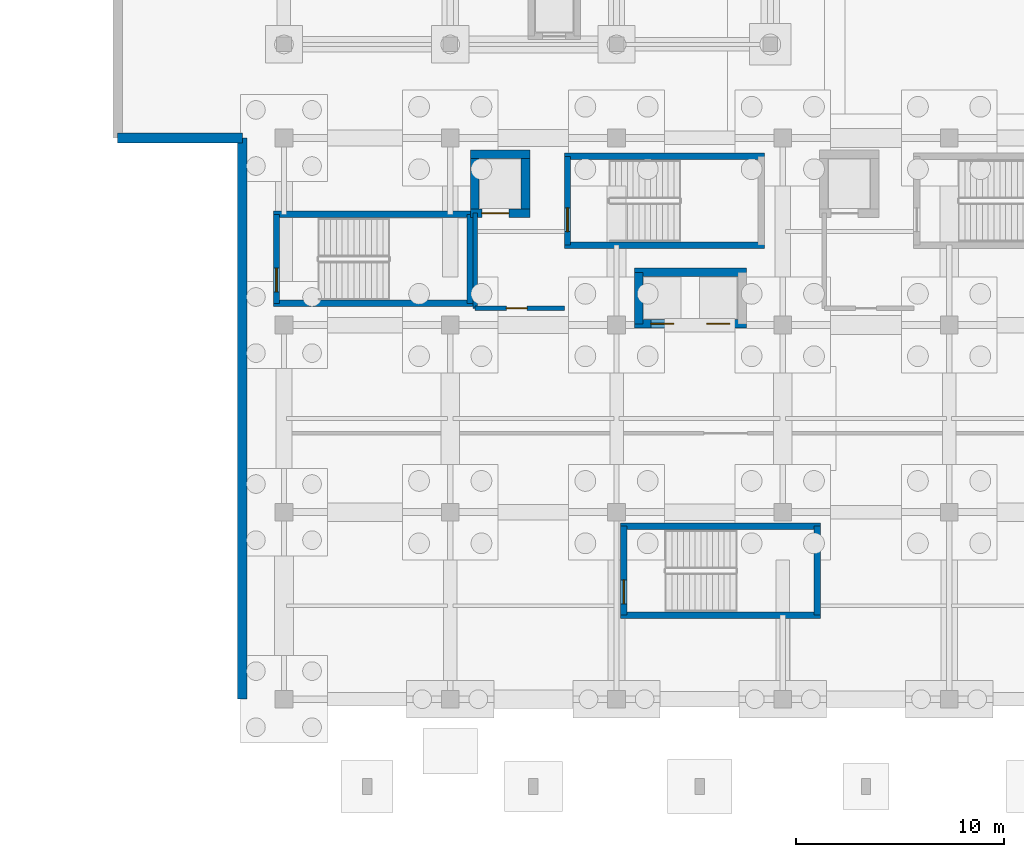
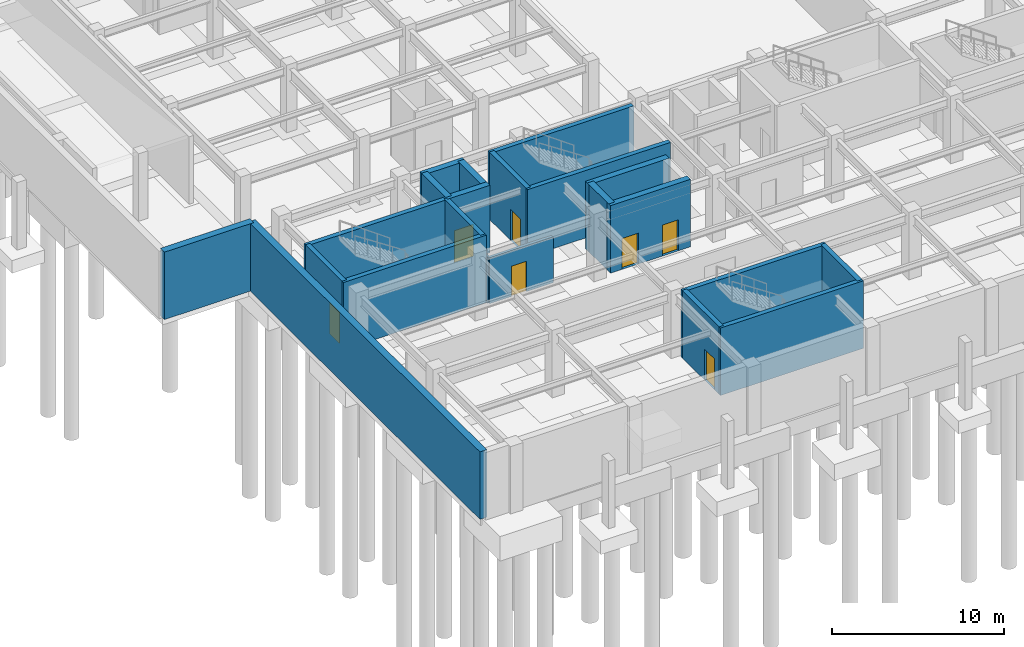
# One storey, part 25 of 48: 22 walls, 7 doors, 7 openings.
"""IFC4 building model written with IfcOpenShell, lengths in metres."""

import ifcopenshell
import ifcopenshell.guid

model = None  # the IFC model being written
_history = None  # IfcOwnerHistory: only IFC2X3 demands one
_inside = {}  # id of a spatial element -> (the spatial element, [elements in it])
_under = {}  # id of a project, library or spatial element -> (it, [spatial elements below it])
_declared = {}  # id of a project -> (the project, [libraries it declares])
_typed = {}  # id of a type object -> (the type object, [elements of that type])
_made_of = {}  # id of a material, layer set ... -> (it, [elements and type objects made of it])


def new_model(schema):
    """Start an empty IFC model of exactly this schema.

    Asked for "IFC4X3", IfcOpenShell would pick the latest addendum, in which some entities
    have other attributes; the version numbers below select the first issue.
    IFC2X3 requires an IfcOwnerHistory on every rooted entity: one is made here for all.
    """
    global model, _history
    if schema == "IFC4X3":
        model = ifcopenshell.file(schema_version=(4, 3, 0, 0))
    else:
        model = ifcopenshell.file(schema=schema)
    _inside.clear()
    _under.clear()
    _declared.clear()
    _typed.clear()
    _made_of.clear()
    _history = None
    if model.schema == "IFC2X3":
        org = make("IfcOrganization", Name="unknown")
        user = make(
            "IfcPersonAndOrganization",
            ThePerson=make("IfcPerson", FamilyName="unknown"),
            TheOrganization=org,
        )
        app = make(
            "IfcApplication",
            ApplicationDeveloper=org,
            Version="unknown",
            ApplicationFullName="unknown",
            ApplicationIdentifier="unknown",
        )
        _history = make(
            "IfcOwnerHistory",
            OwningUser=user,
            OwningApplication=app,
            ChangeAction="ADDED",
            CreationDate=0,
        )
    return model


def make(cls, **values):
    """One entity of the class cls with the attributes given. An attribute that is None is left unset."""
    return model.create_entity(
        cls, **{name: value for name, value in values.items() if value is not None}
    )


def rooted(cls, **values):
    """An entity with a GlobalId (a new one), such as an element, a storey or a relation."""
    return make(cls, GlobalId=ifcopenshell.guid.new(), OwnerHistory=_history, **values)


def si_unit(unit_type, name, prefix=None):
    """IfcSIUnit, for example si_unit("LENGTHUNIT", "METRE", prefix="MILLI")."""
    return make("IfcSIUnit", UnitType=unit_type, Prefix=prefix, Name=name)


def assignment(units):
    """IfcUnitAssignment: the units of a project."""
    return None if units is None else make("IfcUnitAssignment", Units=units)


def point(xyz):
    """IfcCartesianPoint."""
    return None if xyz is None else make("IfcCartesianPoint", Coordinates=xyz)


def direction(xyz):
    """IfcDirection."""
    return None if xyz is None else make("IfcDirection", DirectionRatios=xyz)


def frame(location, z_axis=None, x_axis=None):
    """IfcAxis2Placement3D, a coordinate frame: its origin and axes. An axis left out is left unset."""
    return make(
        "IfcAxis2Placement3D",
        Location=point(location),
        Axis=direction(z_axis),
        RefDirection=direction(x_axis),
    )


def frame_2d(location, x_axis=None):
    """IfcAxis2Placement2D, a coordinate frame in the plane: its origin and x axis."""
    return make(
        "IfcAxis2Placement2D", Location=point(location), RefDirection=direction(x_axis)
    )


def origin():
    """The frame at (0, 0, 0) with its axes left unset."""
    return frame((0.0, 0.0, 0.0))


def place(relative_to, where):
    """IfcLocalPlacement: puts the frame where relative to a parent placement (None: the world)."""
    return make(
        "IfcLocalPlacement", PlacementRelTo=relative_to, RelativePlacement=where
    )


def context(
    kind, dimensions, precision=None, world=None, true_north=None, identifier=None
):
    """IfcGeometricRepresentationContext, for example the 3D "Model" context."""
    return make(
        "IfcGeometricRepresentationContext",
        ContextIdentifier=identifier,
        ContextType=kind,
        CoordinateSpaceDimension=dimensions,
        Precision=precision,
        WorldCoordinateSystem=world,
        TrueNorth=true_north,
    )


def subcontext(parent, identifier, kind, view, scale=None):
    """IfcGeometricRepresentationSubContext, for example "Body" below "Model"."""
    return make(
        "IfcGeometricRepresentationSubContext",
        ContextIdentifier=identifier,
        ContextType=kind,
        ParentContext=parent,
        TargetScale=scale,
        TargetView=view,
    )


def project(units=None, contexts=None):
    """IfcProject with its units and contexts."""
    return rooted(
        "IfcProject",
        Name="project",
        RepresentationContexts=contexts,
        UnitsInContext=assignment(units),
    )


def spatial(cls, under=None, at=None, **own):
    """A site, building, storey or space (cls), placed at a placement, below another one or the project."""
    s = rooted(cls, ObjectPlacement=at, **own)
    if under is not None:
        _under.setdefault(under.id(), (under, []))[1].append(s)
    return s


def profile(cls, at=None, kind="AREA", **sizes):
    """A parametric profile (cls). Its sizes go by their IFC names, for example OverallWidth=200.0."""
    return make(cls, ProfileType=kind, Position=at, **sizes)


def rectangle(**sizes):
    """IfcRectangleProfileDef."""
    return profile("IfcRectangleProfileDef", **sizes)


def extrude(swept, where, along, depth):
    """IfcExtrudedAreaSolid: the profile swept, set in the frame where, extruded along a direction by depth."""
    return make(
        "IfcExtrudedAreaSolid",
        SweptArea=swept,
        Position=where,
        ExtrudedDirection=direction(along),
        Depth=depth,
    )


def shape(context_of_items, identifier, shape_type, items):
    """IfcShapeRepresentation: the items that make up one representation, for example the "Body"."""
    return make(
        "IfcShapeRepresentation",
        ContextOfItems=context_of_items,
        RepresentationIdentifier=identifier,
        RepresentationType=shape_type,
        Items=items,
    )


def material(Name=None, Category=None):
    """IfcMaterial."""
    return make("IfcMaterial", Name=Name, Category=Category)


def layer(
    of_material, thickness, ventilated=None, Name=None, Category=None, Priority=None
):
    """IfcMaterialLayer: one layer of a wall or slab, of a material (None: an air gap)."""
    return make(
        "IfcMaterialLayer",
        Material=of_material,
        LayerThickness=thickness,
        IsVentilated=ventilated,
        Name=Name,
        Category=Category,
        Priority=Priority,
    )


def layer_set(layers, Name=None):
    """IfcMaterialLayerSet."""
    return make("IfcMaterialLayerSet", MaterialLayers=layers, LayerSetName=Name)


def made_of(thing, what):
    """Note that an element or type object is made of a material, layer set ...; save() writes the relation."""
    if what is not None:
        _made_of.setdefault(what.id(), (what, []))[1].append(thing)
    return thing


def type_object(cls, material=None, **own):
    """A type object (cls), such as IfcWallType, which elements share."""
    return made_of(rooted(cls, **own), material)


def element(
    cls,
    number,
    at=None,
    inside=None,
    cuts=None,
    type_object=None,
    material=None,
    context=None,
    identifier="Body",
    shape_type=None,
    held_by="IfcProductDefinitionShape",
    body=None,
    shapes=None,
    **own,
):
    """One element of the class cls, such as IfcWall. Its Tag is "e" and its number.

    at: its placement. inside: the storey or other place that contains it. cuts: it is an
    opening in that element (IfcRelVoidsElement). A single representation is given by context,
    identifier, shape_type and body (its items); several are given by shapes. held_by: the class
    of the entity that holds the representations. save() writes the other relations.
    """
    e = rooted(cls, Tag="e%d" % number, ObjectPlacement=at, **own)
    if body is not None:
        shapes = [shape(context, identifier, shape_type, body)]
    if shapes is not None:
        e.Representation = make(held_by, Representations=shapes)
    if inside is not None:
        _inside.setdefault(inside.id(), (inside, []))[1].append(e)
    if cuts is not None:
        rooted(
            "IfcRelVoidsElement", RelatingBuildingElement=cuts, RelatedOpeningElement=e
        )
    if type_object is not None:
        _typed.setdefault(type_object.id(), (type_object, []))[1].append(e)
    return made_of(e, material)


def fill(opening, filler):
    """IfcRelFillsElement: the door or window that sits in an opening."""
    return rooted(
        "IfcRelFillsElement",
        RelatingOpeningElement=opening,
        RelatedBuildingElement=filler,
    )


def aggregate(whole, parts):
    """IfcRelAggregates: a whole, such as a stair, and the parts it consists of."""
    return rooted("IfcRelAggregates", RelatingObject=whole, RelatedObjects=parts)


def save(model, path):
    """Write the relations noted so far, then the file.

    IfcRelAggregates (storeys below a building ...), IfcRelContainedInSpatialStructure (elements
    in a storey), IfcRelDefinesByType, IfcRelAssociatesMaterial and IfcRelDeclares: one each for
    every whole, place, type object, material and project.
    """
    for whole, parts in _under.values():
        aggregate(whole, parts)
    for where, things in _inside.values():
        rooted(
            "IfcRelContainedInSpatialStructure",
            RelatedElements=things,
            RelatingStructure=where,
        )
    for kind, things in _typed.values():
        rooted("IfcRelDefinesByType", RelatedObjects=things, RelatingType=kind)
    for what, things in _made_of.values():
        rooted("IfcRelAssociatesMaterial", RelatedObjects=things, RelatingMaterial=what)
    for by, libraries in _declared.values():
        rooted("IfcRelDeclares", RelatingContext=by, RelatedDefinitions=libraries)
    model.write(path)


model = new_model("IFC4")

# Units and contexts
model_context = context("Model", 3, precision=1e-05, world=origin(), true_north=direction((0.0, 1.0)))
body_context = subcontext(model_context, "Body", "Model", "MODEL_VIEW")
ifc_project = project(units=[si_unit("LENGTHUNIT", "METRE"), si_unit("AREAUNIT", "SQUARE_METRE"), si_unit("VOLUMEUNIT", "CUBIC_METRE"), si_unit("PLANEANGLEUNIT", "RADIAN"), si_unit("MASSUNIT", "GRAM", prefix="KILO")], contexts=[model_context])

# Site, building, storey
site_placement = place(None, origin())
site = spatial("IfcSite", under=ifc_project, at=site_placement, CompositionType="ELEMENT")
building_placement = place(site_placement, origin())
building = spatial("IfcBuilding", under=site, at=building_placement, Name="Tlacozan Convention Centre", CompositionType="ELEMENT")
storey_placement = place(building_placement, frame((0.0, 0.0, -4.800048828125)))
storey = spatial("IfcBuildingStorey", under=building, at=storey_placement, Name="B01", CompositionType="ELEMENT", Elevation=-4.800048828125)

# Walls
ifc_material_1 = material(Name="Concrete C35/45", Category="concrete")
ifc_layer_1 = layer(ifc_material_1, 0.4599609375)
ifc_layer_set_1 = layer_set([ifc_layer_1], Name="Concrete C35/45")
wall_type_1 = type_object("IfcWallType", Name="Basement Retaining Wall 460", PredefinedType="SOLIDWALL", material=ifc_layer_set_1)
wall_1_placement = place(storey_placement, frame((0.0, 27.0, 0.0), z_axis=(0.0, 0.0, 1.0), x_axis=(1.0, 0.0, 0.0)))
element("IfcWall", 1, at=wall_1_placement, inside=storey, type_object=wall_type_1, Name="B01 Basement Retaining Wall 460 11", PredefinedType="SOLIDWALL", context=body_context, shape_type="SweptSolid", body=[
    extrude(rectangle(XDim=6.0, YDim=0.4599609375, at=frame_2d((3.0, 0.0))), origin(), (0.0, 0.0, 1.0), 4.800048828125),
])
wall_2_placement = place(storey_placement, frame((6.0, 27.0, 0.0), z_axis=(0.0, 0.0, 1.0), x_axis=(0.0, -1.0, 0.0)))
element("IfcWall", 2, at=wall_2_placement, inside=storey, type_object=wall_type_1, Name="B01 Basement Retaining Wall 460 12", PredefinedType="SOLIDWALL", context=body_context, shape_type="SweptSolid", body=[
    extrude(rectangle(XDim=27.0, YDim=0.4599609375, at=frame_2d((13.5, 0.0))), origin(), (0.0, 0.0, 1.0), 4.800048828125),
])

# Wall, opening, door
ifc_material_2 = material(Name="Concrete C40/50", Category="concrete")
ifc_layer_2 = layer(ifc_material_2, 0.409912109375)
ifc_layer_set_2 = layer_set([ifc_layer_2], Name="Concrete C40/50")
wall_type_2 = type_object("IfcWallType", Name="Core Shear Wall RC 410", PredefinedType="SHEAR", material=ifc_layer_set_2)
wall_3_placement = place(storey_placement, frame((16.97509765625, 23.3798828125, 0.0), z_axis=(0.0, 0.0, 1.0), x_axis=(1.0, 0.0, 0.0)))
wall_3 = element("IfcWall", 3, at=wall_3_placement, inside=storey, type_object=wall_type_2, Name="B01 Core Shear Wall RC 410 7", PredefinedType="SHEAR", context=body_context, shape_type="SweptSolid", body=[
    extrude(rectangle(XDim=2.849853515625, YDim=0.409912109375, at=frame_2d((1.4248046875, 0.0))), origin(), (0.0, 0.0, 1.0), 4.800048828125),
])
opening_1_placement = place(wall_3_placement, frame((0.550048828125, 0.0, 0.0)))
opening_1 = element("IfcOpeningElement", 4, at=opening_1_placement, cuts=wall_3, Name="Opening LD-02", PredefinedType="OPENING", context=body_context, shape_type="SweptSolid", body=[
    extrude(rectangle(XDim=1.300048828125, YDim=2.25, at=frame_2d((0.64990234375, 1.125))), frame((0.0, 0.21484375, 0.0), z_axis=(0.0, -1.0, 0.0), x_axis=(1.0, 0.0, 0.0)), (0.0, 0.0, 1.0), 0.429931640625),
])
ifc_material_3 = material(Name="Brushed Stainless Steel Sliding Landing Door", Category="steel")
door_type_1 = type_object("IfcDoorType", Name="Firefighting Lift Sliding Door 1300x2250", OperationType="DOUBLE_DOOR_SLIDING", PredefinedType="DOOR", material=ifc_material_3)
door_1_placement = place(opening_1_placement, origin())
door_1 = element("IfcDoor", 5, at=door_1_placement, inside=storey, type_object=door_type_1, Name="B01 Firefighting Lift FL-01 Landing Door", OperationType="DOUBLE_DOOR_SLIDING", OverallHeight=2.25, OverallWidth=1.300048828125, PredefinedType="DOOR", context=body_context, shape_type="SweptSolid", body=[
    extrude(rectangle(XDim=1.300048828125, YDim=2.25, at=frame_2d((0.64990234375, 1.125))), frame((0.0, 0.02490234375, 0.0), z_axis=(0.0, -1.0, 0.0), x_axis=(1.0, 0.0, 0.0)), (0.0, 0.0, 1.0), 0.050048828125),
])
fill(opening_1, door_1)

# Walls
wall_4_placement = place(storey_placement, frame((16.97509765625, 26.219970703125, 0.0), z_axis=(0.0, 0.0, 1.0), x_axis=(1.0, 0.0, 0.0)))
element("IfcWall", 6, at=wall_4_placement, inside=storey, type_object=wall_type_2, Name="B01 Core Shear Wall RC 410 8", PredefinedType="SHEAR", context=body_context, shape_type="SweptSolid", body=[
    extrude(rectangle(XDim=2.849853515625, YDim=0.409912109375, at=frame_2d((1.4248046875, 0.0))), origin(), (0.0, 0.0, 1.0), 4.800048828125),
])
for number, where, z_axis, x_axis, name in (
    (7, (17.179931640625, 23.3798828125, 0.0), (0.0, 0.0, 1.0), (0.0, 1.0, 0.0), "B01 Core Shear Wall RC 410 9"),
    (8, (19.6201171875, 23.3798828125, 0.0), (0.0, 0.0, 1.0), (0.0, 1.0, 0.0), "B01 Core Shear Wall RC 410 10"),
):
    element("IfcWall", number, at=place(storey_placement, frame(where, z_axis=z_axis, x_axis=x_axis)), inside=storey, type_object=wall_type_2, Name=name, PredefinedType="SHEAR", context=body_context, shape_type="SweptSolid", body=[
        extrude(rectangle(XDim=2.840087890625, YDim=0.409912109375, at=frame_2d((1.419921875, 0.0))), origin(), (0.0, 0.0, 1.0), 4.800048828125),
    ])

# Wall, openings, doors
wall_5_placement = place(storey_placement, frame((24.85498046875, 18.06005859375, 0.0), z_axis=(0.0, 0.0, 1.0), x_axis=(1.0, 0.0, 0.0)))
wall_5 = element("IfcWall", 9, at=wall_5_placement, inside=storey, type_object=wall_type_2, Name="B01 Core Shear Wall RC 410 11", PredefinedType="SHEAR", context=body_context, shape_type="SweptSolid", body=[
    extrude(rectangle(XDim=5.39013671875, YDim=0.409912109375, at=frame_2d((2.695068359375, 0.0))), origin(), (0.0, 0.0, 1.0), 4.800048828125),
])
opening_2_placement = place(wall_5_placement, frame((0.794921875, 0.0, 0.0)))
opening_2 = element("IfcOpeningElement", 10, at=opening_2_placement, cuts=wall_5, Name="Opening LD-01", PredefinedType="OPENING", context=body_context, shape_type="SweptSolid", body=[
    extrude(rectangle(XDim=1.10009765625, YDim=2.199951171875, at=frame_2d((0.550048828125, 1.10009765625))), frame((0.0, 0.21484375, 0.0), z_axis=(0.0, -1.0, 0.0), x_axis=(1.0, 0.0, 0.0)), (0.0, 0.0, 1.0), 0.429931640625),
])
opening_3_placement = place(wall_5_placement, frame((3.4951171875, 0.0, 0.0)))
opening_3 = element("IfcOpeningElement", 11, at=opening_3_placement, cuts=wall_5, Name="Opening LD-01", PredefinedType="OPENING", context=body_context, shape_type="SweptSolid", body=[
    extrude(rectangle(XDim=1.10009765625, YDim=2.199951171875, at=frame_2d((0.550048828125, 1.10009765625))), frame((0.0, 0.21484375, 0.0), z_axis=(0.0, -1.0, 0.0), x_axis=(1.0, 0.0, 0.0)), (0.0, 0.0, 1.0), 0.429931640625),
])
door_type_2 = type_object("IfcDoorType", Name="Lift Sliding Landing Door 1100x2200", OperationType="DOUBLE_DOOR_SLIDING", PredefinedType="DOOR", material=ifc_material_3)
door_2_placement = place(opening_2_placement, origin())
door_2 = element("IfcDoor", 12, at=door_2_placement, inside=storey, type_object=door_type_2, Name="B01 Lift PL-01 Landing Door", OperationType="DOUBLE_DOOR_SLIDING", OverallHeight=2.199951171875, OverallWidth=1.10009765625, PredefinedType="DOOR", context=body_context, shape_type="SweptSolid", body=[
    extrude(rectangle(XDim=1.10009765625, YDim=2.199951171875, at=frame_2d((0.550048828125, 1.10009765625))), frame((0.0, 0.02490234375, 0.0), z_axis=(0.0, -1.0, 0.0), x_axis=(1.0, 0.0, 0.0)), (0.0, 0.0, 1.0), 0.050048828125),
])
fill(opening_2, door_2)
door_3_placement = place(opening_3_placement, origin())
door_3 = element("IfcDoor", 13, at=door_3_placement, inside=storey, type_object=door_type_2, Name="B01 Lift PL-02 Landing Door", OperationType="DOUBLE_DOOR_SLIDING", OverallHeight=2.199951171875, OverallWidth=1.10009765625, PredefinedType="DOOR", context=body_context, shape_type="SweptSolid", body=[
    extrude(rectangle(XDim=1.10009765625, YDim=2.199951171875, at=frame_2d((0.550048828125, 1.10009765625))), frame((0.0, 0.02490234375, 0.0), z_axis=(0.0, -1.0, 0.0), x_axis=(1.0, 0.0, 0.0)), (0.0, 0.0, 1.0), 0.050048828125),
])
fill(opening_3, door_3)

# Walls
wall_6_placement = place(storey_placement, frame((24.85498046875, 20.5400390625, 0.0), z_axis=(0.0, 0.0, 1.0), x_axis=(1.0, 0.0, 0.0)))
element("IfcWall", 14, at=wall_6_placement, inside=storey, type_object=wall_type_2, Name="B01 Core Shear Wall RC 410 12", PredefinedType="SHEAR", context=body_context, shape_type="SweptSolid", body=[
    extrude(rectangle(XDim=5.39013671875, YDim=0.409912109375, at=frame_2d((2.695068359375, 0.0))), origin(), (0.0, 0.0, 1.0), 4.800048828125),
])
wall_7_placement = place(storey_placement, frame((25.06005859375, 18.06005859375, 0.0), z_axis=(0.0, 0.0, 1.0), x_axis=(0.0, 1.0, 0.0)))
element("IfcWall", 15, at=wall_7_placement, inside=storey, type_object=wall_type_2, Name="B01 Core Shear Wall RC 410 13", PredefinedType="SHEAR", context=body_context, shape_type="SweptSolid", body=[
    extrude(rectangle(XDim=2.47998046875, YDim=0.409912109375, at=frame_2d((1.239990234375, 0.0))), origin(), (0.0, 0.0, 1.0), 4.800048828125),
])

# Wall, opening, door
ifc_material_4 = material(Name="Fire-Rated Gypsum Stud Partition Assembly")
ifc_layer_3 = layer(ifc_material_4, 0.2099609375)
ifc_layer_set_3 = layer_set([ifc_layer_3], Name="Fire-Rated Gypsum Stud Partition Assembly")
wall_type_3 = type_object("IfcWallType", Name="Firefighting Lobby Rated Wall 210", PredefinedType="PARTITIONING", material=ifc_layer_set_3)
wall_8_placement = place(storey_placement, frame((17.199951171875, 18.800048828125, 0.0), z_axis=(0.0, 0.0, 1.0), x_axis=(1.0, 0.0, 0.0)))
wall_8 = element("IfcWall", 16, at=wall_8_placement, inside=storey, type_object=wall_type_3, Name="B01 Firefighting Lobby Rated Wall 210 5", PredefinedType="PARTITIONING", context=body_context, shape_type="SweptSolid", body=[
    extrude(rectangle(XDim=4.300048828125, YDim=0.2099609375, at=frame_2d((2.14990234375, 0.0))), origin(), (0.0, 0.0, 1.0), 3.25),
])
opening_4_placement = place(wall_8_placement, frame((1.5, 0.0, 0.0)))
opening_4 = element("IfcOpeningElement", 17, at=opening_4_placement, cuts=wall_8, Name="Opening FD-01", PredefinedType="OPENING", context=body_context, shape_type="SweptSolid", body=[
    extrude(rectangle(XDim=1.0, YDim=2.14990234375, at=frame_2d((0.5, 1.074951171875))), frame((0.0, 0.114990234375, 0.0), z_axis=(0.0, -1.0, 0.0), x_axis=(1.0, 0.0, 0.0)), (0.0, 0.0, 1.0), 0.22998046875),
])
ifc_material_5 = material(Name="Fire-Rated Insulated Steel Door Leaf", Category="steel")
door_type_3 = type_object("IfcDoorType", Name="Fire Door Single 1000x2150 FD90", OperationType="NOTDEFINED", PredefinedType="DOOR", material=ifc_material_5)
door_4_placement = place(opening_4_placement, origin())
door_4 = element("IfcDoor", 18, at=door_4_placement, inside=storey, type_object=door_type_3, Name="B01 CORE-1 Firefighting Lobby Entry Door", OperationType="SINGLE_SWING_LEFT", OverallHeight=2.14990234375, OverallWidth=1.0, PredefinedType="DOOR", context=body_context, shape_type="SweptSolid", body=[
    extrude(rectangle(XDim=1.0, YDim=2.14990234375, at=frame_2d((0.5, 1.074951171875))), frame((0.0, 0.02490234375, 0.0), z_axis=(0.0, -1.0, 0.0), x_axis=(1.0, 0.0, 0.0)), (0.0, 0.0, 1.0), 0.050048828125),
])
fill(opening_4, door_4)

# Walls
wall_9_placement = place(storey_placement, frame((17.199951171875, 18.800048828125, 0.0), z_axis=(0.0, 0.0, 1.0), x_axis=(0.0, 1.0, 0.0)))
element("IfcWall", 19, at=wall_9_placement, inside=storey, type_object=wall_type_3, Name="B01 Firefighting Lobby Rated Wall 210 6", PredefinedType="PARTITIONING", context=body_context, shape_type="SweptSolid", body=[
    extrude(rectangle(XDim=4.599853515625, YDim=0.2099609375, at=frame_2d((2.2998046875, 0.0))), origin(), (0.0, 0.0, 1.0), 3.25),
])
ifc_layer_4 = layer(ifc_material_2, 0.31005859375)
ifc_layer_set_4 = layer_set([ifc_layer_4], Name="Concrete C40/50")
wall_type_4 = type_object("IfcWallType", Name="Stair Shaft Shear Wall RC 310", PredefinedType="SHEAR", material=ifc_layer_set_4)
for number, where, z_axis, x_axis, name in (
    (20, (21.485107421875, 21.840087890625, 0.0), (0.0, 0.0, 1.0), (1.0, 0.0, 0.0), "B01 Stair Shaft Shear Wall RC 310 1"),
    (21, (21.485107421875, 26.1201171875, 0.0), (0.0, 0.0, 1.0), (1.0, 0.0, 0.0), "B01 Stair Shaft Shear Wall RC 310 2"),
):
    element("IfcWall", number, at=place(storey_placement, frame(where, z_axis=z_axis, x_axis=x_axis)), inside=storey, type_object=wall_type_4, Name=name, PredefinedType="SHEAR", context=body_context, shape_type="SweptSolid", body=[
        extrude(rectangle(XDim=9.6298828125, YDim=0.31005859375, at=frame_2d((4.81494140625, 0.0))), origin(), (0.0, 0.0, 1.0), 4.800048828125),
    ])

# Wall, opening, door
wall_10_placement = place(storey_placement, frame((21.639892578125, 21.840087890625, 0.0), z_axis=(0.0, 0.0, 1.0), x_axis=(0.0, 1.0, 0.0)))
wall_10 = element("IfcWall", 22, at=wall_10_placement, inside=storey, type_object=wall_type_4, Name="B01 Stair Shaft Shear Wall RC 310 3", PredefinedType="SHEAR", context=body_context, shape_type="SweptSolid", body=[
    extrude(rectangle(XDim=4.280029296875, YDim=0.31005859375, at=frame_2d((2.14013671875, 0.0))), origin(), (0.0, 0.0, 1.0), 4.800048828125),
])
opening_5_placement = place(wall_10_placement, frame((0.64990234375, 0.0, 0.0)))
opening_5 = element("IfcOpeningElement", 23, at=opening_5_placement, cuts=wall_10, Name="Opening FD-02", PredefinedType="OPENING", context=body_context, shape_type="SweptSolid", body=[
    extrude(rectangle(XDim=1.14990234375, YDim=2.199951171875, at=frame_2d((0.574951171875, 1.10009765625))), frame((0.0, 0.1650390625, 0.0), z_axis=(0.0, -1.0, 0.0), x_axis=(1.0, 0.0, 0.0)), (0.0, 0.0, 1.0), 0.330078125),
])
door_type_4 = type_object("IfcDoorType", Name="Fire Door Stair 1150x2200 FD90", OperationType="NOTDEFINED", PredefinedType="DOOR", material=ifc_material_5)
door_5_placement = place(opening_5_placement, origin())
door_5 = element("IfcDoor", 24, at=door_5_placement, inside=storey, type_object=door_type_4, Name="B01 Stair ST-01 Fire Door", OperationType="SINGLE_SWING_RIGHT", OverallHeight=2.199951171875, OverallWidth=1.14990234375, PredefinedType="DOOR", context=body_context, shape_type="SweptSolid", body=[
    extrude(rectangle(XDim=1.14990234375, YDim=2.199951171875, at=frame_2d((0.574951171875, 1.10009765625))), frame((0.0, 0.02490234375, 0.0), z_axis=(0.0, -1.0, 0.0), x_axis=(1.0, 0.0, 0.0)), (0.0, 0.0, 1.0), 0.050048828125),
])
fill(opening_5, door_5)

# Walls
for number, where, z_axis, x_axis, name in (
    (25, (7.485107421875, 19.0400390625, 0.0), (0.0, 0.0, 1.0), (1.0, 0.0, 0.0), "B01 Stair Shaft Shear Wall RC 310 285"),
    (26, (7.485107421875, 23.320068359375, 0.0), (0.0, 0.0, 1.0), (1.0, 0.0, 0.0), "B01 Stair Shaft Shear Wall RC 310 286"),
):
    element("IfcWall", number, at=place(storey_placement, frame(where, z_axis=z_axis, x_axis=x_axis)), inside=storey, type_object=wall_type_4, Name=name, PredefinedType="SHEAR", context=body_context, shape_type="SweptSolid", body=[
        extrude(rectangle(XDim=9.6298828125, YDim=0.31005859375, at=frame_2d((4.81494140625, 0.0))), origin(), (0.0, 0.0, 1.0), 4.800048828125),
    ])

# Wall, opening, door
wall_11_placement = place(storey_placement, frame((7.639892578125, 19.0400390625, 0.0), z_axis=(0.0, 0.0, 1.0), x_axis=(0.0, 1.0, 0.0)))
wall_11 = element("IfcWall", 27, at=wall_11_placement, inside=storey, type_object=wall_type_4, Name="B01 Stair Shaft Shear Wall RC 310 287", PredefinedType="SHEAR", context=body_context, shape_type="SweptSolid", body=[
    extrude(rectangle(XDim=4.280029296875, YDim=0.31005859375, at=frame_2d((2.14013671875, 0.0))), origin(), (0.0, 0.0, 1.0), 4.800048828125),
])
opening_6_placement = place(wall_11_placement, frame((0.550048828125, 0.0, 0.0)))
opening_6 = element("IfcOpeningElement", 28, at=opening_6_placement, cuts=wall_11, Name="Opening FD-02", PredefinedType="OPENING", context=body_context, shape_type="SweptSolid", body=[
    extrude(rectangle(XDim=1.14990234375, YDim=2.199951171875, at=frame_2d((0.574951171875, 1.10009765625))), frame((0.0, 0.1650390625, 0.0), z_axis=(0.0, -1.0, 0.0), x_axis=(1.0, 0.0, 0.0)), (0.0, 0.0, 1.0), 0.330078125),
])
door_6_placement = place(opening_6_placement, origin())
door_6 = element("IfcDoor", 29, at=door_6_placement, inside=storey, type_object=door_type_4, Name="B01 Stair ST-13 Access Door", OperationType="SINGLE_SWING_RIGHT", OverallHeight=2.199951171875, OverallWidth=1.14990234375, PredefinedType="DOOR", context=body_context, shape_type="SweptSolid", body=[
    extrude(rectangle(XDim=1.14990234375, YDim=2.199951171875, at=frame_2d((0.574951171875, 1.10009765625))), frame((0.0, 0.02490234375, 0.0), z_axis=(0.0, -1.0, 0.0), x_axis=(1.0, 0.0, 0.0)), (0.0, 0.0, 1.0), 0.050048828125),
])
fill(opening_6, door_6)

# Walls
wall_12_placement = place(storey_placement, frame((16.9599609375, 19.0400390625, 0.0), z_axis=(0.0, 0.0, 1.0), x_axis=(0.0, 1.0, 0.0)))
element("IfcWall", 30, at=wall_12_placement, inside=storey, type_object=wall_type_4, Name="B01 Stair Shaft Shear Wall RC 310 288", PredefinedType="SHEAR", context=body_context, shape_type="SweptSolid", body=[
    extrude(rectangle(XDim=4.280029296875, YDim=0.31005859375, at=frame_2d((2.14013671875, 0.0))), origin(), (0.0, 0.0, 1.0), 4.800048828125),
])
for number, where, z_axis, x_axis, name in (
    (31, (24.18505859375, 4.0400390625, 0.0), (0.0, 0.0, 1.0), (1.0, 0.0, 0.0), "B01 Stair Shaft Shear Wall RC 310 353"),
    (32, (24.18505859375, 8.320068359375, 0.0), (0.0, 0.0, 1.0), (1.0, 0.0, 0.0), "B01 Stair Shaft Shear Wall RC 310 354"),
):
    element("IfcWall", number, at=place(storey_placement, frame(where, z_axis=z_axis, x_axis=x_axis)), inside=storey, type_object=wall_type_4, Name=name, PredefinedType="SHEAR", context=body_context, shape_type="SweptSolid", body=[
        extrude(rectangle(XDim=9.6298828125, YDim=0.31005859375, at=frame_2d((4.81494140625, 0.0))), origin(), (0.0, 0.0, 1.0), 4.800048828125),
    ])

# Wall, opening, door
wall_13_placement = place(storey_placement, frame((24.340087890625, 4.0400390625, 0.0), z_axis=(0.0, 0.0, 1.0), x_axis=(0.0, 1.0, 0.0)))
wall_13 = element("IfcWall", 33, at=wall_13_placement, inside=storey, type_object=wall_type_4, Name="B01 Stair Shaft Shear Wall RC 310 355", PredefinedType="SHEAR", context=body_context, shape_type="SweptSolid", body=[
    extrude(rectangle(XDim=4.280029296875, YDim=0.31005859375, at=frame_2d((2.14013671875, 0.0))), origin(), (0.0, 0.0, 1.0), 4.800048828125),
])
opening_7_placement = place(wall_13_placement, frame((0.550048828125, 0.0, 0.0)))
opening_7 = element("IfcOpeningElement", 34, at=opening_7_placement, cuts=wall_13, Name="Opening FD-02", PredefinedType="OPENING", context=body_context, shape_type="SweptSolid", body=[
    extrude(rectangle(XDim=1.14990234375, YDim=2.199951171875, at=frame_2d((0.574951171875, 1.10009765625))), frame((0.0, 0.1650390625, 0.0), z_axis=(0.0, -1.0, 0.0), x_axis=(1.0, 0.0, 0.0)), (0.0, 0.0, 1.0), 0.330078125),
])
door_7_placement = place(opening_7_placement, origin())
door_7 = element("IfcDoor", 35, at=door_7_placement, inside=storey, type_object=door_type_4, Name="B01 Stair ST-16 Access Door", OperationType="SINGLE_SWING_LEFT", OverallHeight=2.199951171875, OverallWidth=1.14990234375, PredefinedType="DOOR", context=body_context, shape_type="SweptSolid", body=[
    extrude(rectangle(XDim=1.14990234375, YDim=2.199951171875, at=frame_2d((0.574951171875, 1.10009765625))), frame((0.0, 0.02490234375, 0.0), z_axis=(0.0, -1.0, 0.0), x_axis=(1.0, 0.0, 0.0)), (0.0, 0.0, 1.0), 0.050048828125),
])
fill(opening_7, door_7)

# Wall
wall_14_placement = place(storey_placement, frame((33.659912109375, 4.0400390625, 0.0), z_axis=(0.0, 0.0, 1.0), x_axis=(0.0, 1.0, 0.0)))
element("IfcWall", 36, at=wall_14_placement, inside=storey, type_object=wall_type_4, Name="B01 Stair Shaft Shear Wall RC 310 356", PredefinedType="SHEAR", context=body_context, shape_type="SweptSolid", body=[
    extrude(rectangle(XDim=4.280029296875, YDim=0.31005859375, at=frame_2d((2.14013671875, 0.0))), origin(), (0.0, 0.0, 1.0), 4.800048828125),
])

save(model, "model.ifc")
